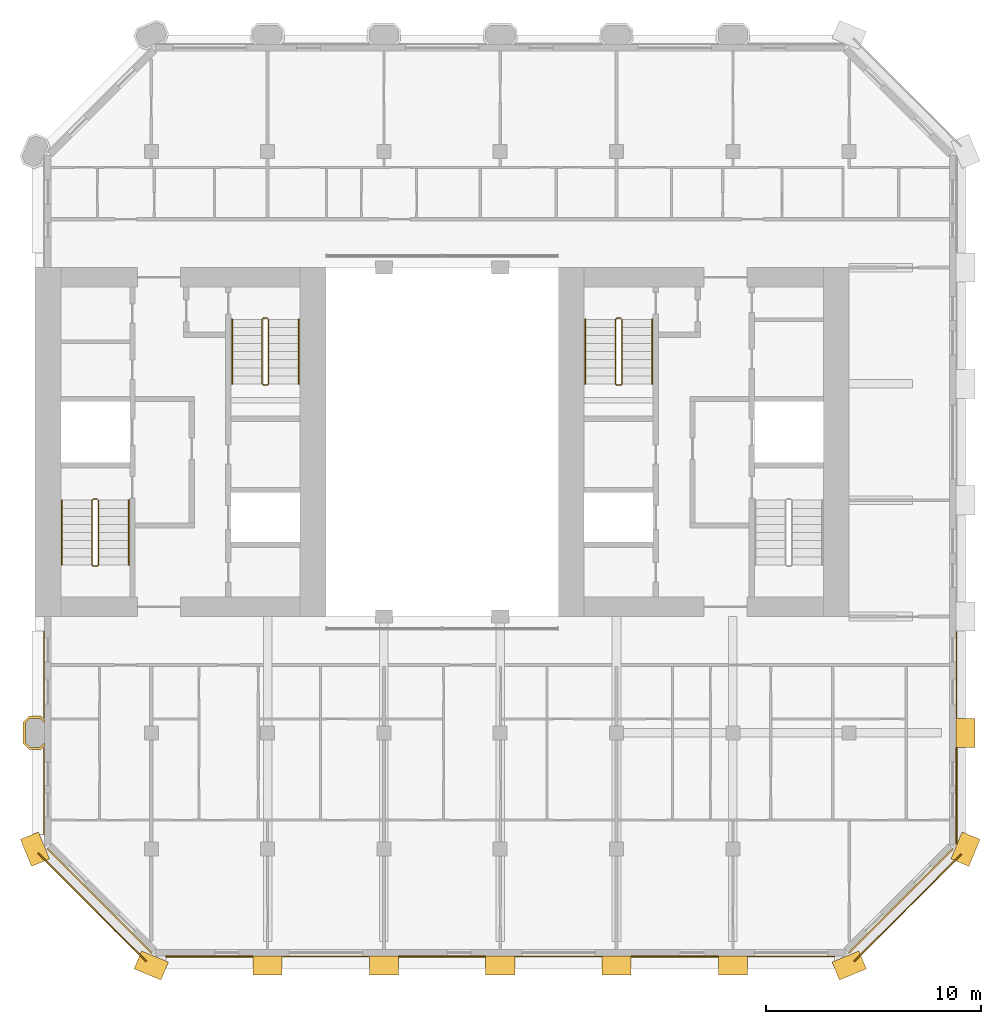
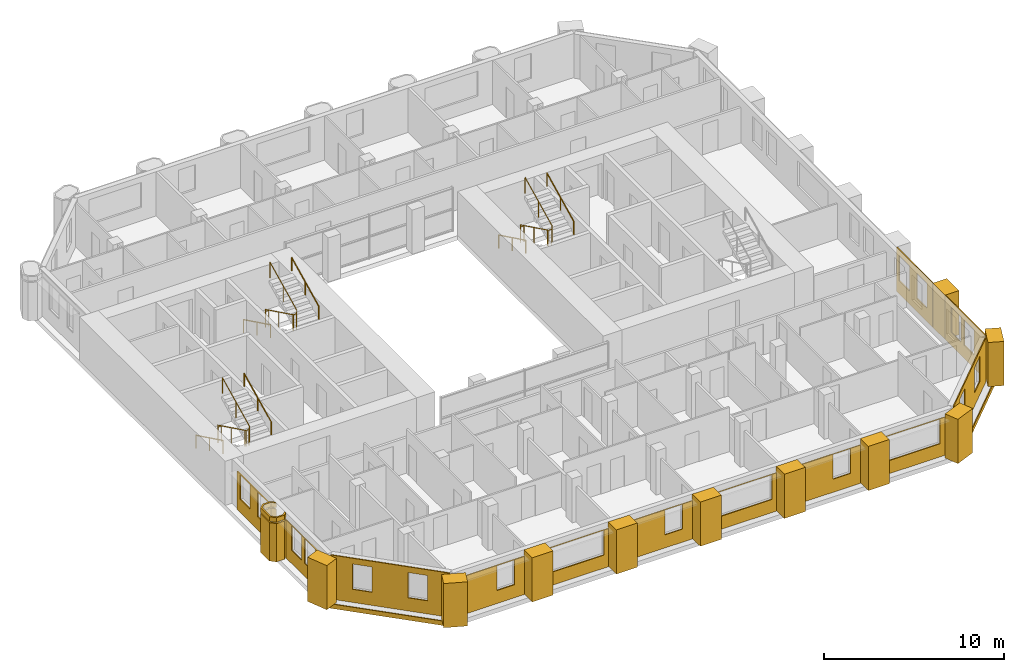
# One storey, part 15 of 16: 26 coverings, 9 railings.
"""IFC4 building model written with IfcOpenShell, lengths in metres."""

from ifc_helpers import new_model, si_unit, direction, frame, frame_2d, origin, origin_2d, place, context, subcontext, project, spatial, polyline, rectangle, circle, outline, extrude, material, layer, layer_set, type_object, element, save


model = new_model("IFC4")

# Units and contexts
model_context = context("Model", 3, precision=1e-05, world=origin(), true_north=direction((0.0, 1.0)))
body_context = subcontext(model_context, "Body", "Model", "MODEL_VIEW")
ifc_project = project(units=[si_unit("LENGTHUNIT", "METRE"), si_unit("AREAUNIT", "SQUARE_METRE"), si_unit("VOLUMEUNIT", "CUBIC_METRE"), si_unit("PLANEANGLEUNIT", "RADIAN"), si_unit("MASSUNIT", "GRAM", prefix="KILO")], contexts=[model_context])

# Site, building, storey
site_placement = place(None, origin())
site = spatial("IfcSite", under=ifc_project, at=site_placement, CompositionType="ELEMENT")
building_placement = place(site_placement, origin())
building = spatial("IfcBuilding", under=site, at=building_placement, Name="Tabaq Tower and Sports Hall", CompositionType="ELEMENT")
storey_placement = place(building_placement, frame((0.0, 0.0, 268.60009765625)))
storey = spatial("IfcBuildingStorey", under=building, at=storey_placement, Name="L65", CompositionType="ELEMENT", Elevation=268.60009765625)

# Coverings
ifc_material_1 = material(Name="Precast concrete C60/75", Category="concrete")
ifc_layer_1 = layer(ifc_material_1, 0.10009765625)
ifc_layer_set_1 = layer_set([ifc_layer_1], Name="Column cladding 100")
covering_type_1 = type_object("IfcCoveringType", Name="Column cladding 100", PredefinedType="CLADDING", material=ifc_layer_set_1)
covering_1_placement = place(storey_placement, origin())
element("IfcCovering", 1, at=covering_1_placement, inside=storey, type_object=covering_type_1, Name="Column cladding L65 PC-2C-R1", PredefinedType="CLADDING", context=body_context, shape_type="SweptSolid", body=[
    extrude(outline(polyline([(5.1337890625, 10.025390625), (4.850341796875, 10.30859375), (4.850341796875, 11.291259765625), (5.1337890625, 11.57470703125), (5.666259765625, 11.57470703125), (5.849609375, 11.391357421875), (5.849609375, 11.250732421875), (5.625244140625, 11.475341796875), (5.1748046875, 11.475341796875), (4.94970703125, 11.250244140625), (4.94970703125, 10.349853515625), (5.1748046875, 10.124755859375), (5.625244140625, 10.124755859375), (5.849609375, 10.349365234375), (5.849609375, 10.208740234375), (5.666259765625, 10.025390625), (5.1337890625, 10.025390625)])), origin(), (0.0, 0.0, 1.0), 2.599853515625),
])
covering_2_placement = place(storey_placement, frame((0.0, 0.0, 2.699951171875)))
element("IfcCovering", 2, at=covering_2_placement, inside=storey, type_object=covering_type_1, Name="Column cladding L65 PC-2C-R1 2", PredefinedType="CLADDING", context=body_context, shape_type="SweptSolid", body=[
    extrude(outline(polyline([(5.1337890625, 10.025390625), (4.850341796875, 10.30859375), (4.850341796875, 11.291259765625), (5.1337890625, 11.57470703125), (5.666259765625, 11.57470703125), (5.849609375, 11.391357421875), (5.849609375, 11.250732421875), (5.625244140625, 11.475341796875), (5.1748046875, 11.475341796875), (4.94970703125, 11.250244140625), (4.94970703125, 10.349853515625), (5.1748046875, 10.124755859375), (5.625244140625, 10.124755859375), (5.849609375, 10.349365234375), (5.849609375, 10.208740234375), (5.666259765625, 10.025390625), (5.1337890625, 10.025390625)])), origin(), (0.0, 0.0, 1.0), 0.300048828125),
])
ifc_material_2 = material(Name="Precast concrete C60/75", Category="concrete")
ifc_layer_2 = layer(ifc_material_2, 0.06005859375)
ifc_layer_set_2 = layer_set([ifc_layer_2], Name="Edge beam cladding 60")
covering_type_2 = type_object("IfcCoveringType", Name="Edge beam cladding 60", PredefinedType="CLADDING", material=ifc_layer_set_2)
covering_3_placement = place(storey_placement, frame((43.432373046875, 0.18994140625, -0.300048828125), z_axis=(0.0, 0.0, 1.0), x_axis=(0.707106781187, 0.707106781187, 0.0)))
element("IfcCovering", 3, at=covering_3_placement, inside=storey, type_object=covering_type_2, Name="Edge beam cladding L65 2", PredefinedType="CLADDING", context=body_context, shape_type="SweptSolid", body=[
    extrude(rectangle(XDim=7.03955078125, YDim=0.06005859375, at=frame_2d((3.519775390625, 0.0))), origin(), (0.0, 0.0, 1.0), 0.300048828125),
])
covering_4_placement = place(storey_placement, frame((5.5556640625, 5.201904296875, -0.300048828125), z_axis=(0.0, 0.0, 1.0), x_axis=(0.707106781187, -0.707106781187, 0.0)))
element("IfcCovering", 4, at=covering_4_placement, inside=storey, type_object=covering_type_2, Name="Edge beam cladding L65 5", PredefinedType="CLADDING", context=body_context, shape_type="SweptSolid", body=[
    extrude(rectangle(XDim=7.087890625, YDim=0.06005859375, at=frame_2d((3.5439453125, 0.0))), origin(), (0.0, 0.0, 1.0), 0.300048828125),
])
ifc_material_3 = material(Name="White precast concrete C60/75", Category="concrete")
covering_type_3 = type_object("IfcCoveringType", Name="Pier cladding hung 1350x900", PredefinedType="CLADDING", material=ifc_material_3)
for number, where, z_axis, x_axis, name in (
    (5, (5.1416015625, 6.023681640625, 0.0), (0.0, 0.0, 1.0), (0.382649923473, -0.923893411637, 0.0), "Hung pier cladding 1/1"),
    (6, (10.17626953125, 0.25830078125, 0.0), (0.0, 0.0, 1.0), (0.923893411637, -0.382649923473, 0.0), "Hung pier cladding 2/0"),
    (7, (15.52490234375, 0.0, 0.0), (0.0, 0.0, 1.0), (1.0, 0.0, 0.0), "Hung pier cladding 3/0"),
):
    element("IfcCovering", number, at=place(storey_placement, frame(where, z_axis=z_axis, x_axis=x_axis)), inside=storey, type_object=covering_type_3, Name=name, PredefinedType="CLADDING", context=body_context, shape_type="SweptSolid", body=[
        extrude(rectangle(XDim=1.35009765625, YDim=0.89990234375, at=frame_2d((0.675048828125, 0.0))), origin(), (0.0, 0.0, 1.0), 3.0),
    ])
covering_5_placement = place(storey_placement, frame((20.925048828125, 0.0, 0.0), z_axis=(0.0, 0.0, 1.0), x_axis=(1.0, 0.0, 0.0)))
element("IfcCovering", 8, at=covering_5_placement, inside=storey, type_object=covering_type_3, Name="Hung pier cladding 4/0", PredefinedType="CLADDING", context=body_context, shape_type="SweptSolid", body=[
    extrude(rectangle(XDim=1.349853515625, YDim=0.89990234375, at=frame_2d((0.6748046875, 0.0))), origin(), (0.0, 0.0, 1.0), 3.0),
])
covering_6_placement = place(storey_placement, frame((26.324951171875, 0.0, 0.0), z_axis=(0.0, 0.0, 1.0), x_axis=(1.0, 0.0, 0.0)))
element("IfcCovering", 9, at=covering_6_placement, inside=storey, type_object=covering_type_3, Name="Hung pier cladding 5/0", PredefinedType="CLADDING", context=body_context, shape_type="SweptSolid", body=[
    extrude(rectangle(XDim=1.35009765625, YDim=0.89990234375, at=frame_2d((0.675048828125, 0.0))), origin(), (0.0, 0.0, 1.0), 3.0),
])
covering_7_placement = place(storey_placement, frame((31.72509765625, 0.0, 0.0), z_axis=(0.0, 0.0, 1.0), x_axis=(1.0, 0.0, 0.0)))
element("IfcCovering", 10, at=covering_7_placement, inside=storey, type_object=covering_type_3, Name="Hung pier cladding 6/0", PredefinedType="CLADDING", context=body_context, shape_type="SweptSolid", body=[
    extrude(rectangle(XDim=1.349853515625, YDim=0.89990234375, at=frame_2d((0.6748046875, 0.0))), origin(), (0.0, 0.0, 1.0), 3.0),
])
for number, where, z_axis, x_axis, name in (
    (11, (37.125, 0.0, 0.0), (0.0, 0.0, 1.0), (1.0, 0.0, 0.0), "Hung pier cladding 7/0"),
    (12, (42.576416015625, -0.25830078125, 0.0), (0.0, 0.0, 1.0), (0.923893411637, 0.382649923473, 0.0), "Hung pier cladding 8/0"),
    (13, (48.341796875, 4.7763671875, 0.0), (0.0, 0.0, 1.0), (0.382649923473, 0.923893411637, 0.0), "Hung pier cladding 9/1"),
    (14, (48.60009765625, 10.125, 0.0), (0.0, 0.0, 1.0), (0.0, 1.0, 0.0), "Hung pier cladding 9/2"),
):
    element("IfcCovering", number, at=place(storey_placement, frame(where, z_axis=z_axis, x_axis=x_axis)), inside=storey, type_object=covering_type_3, Name=name, PredefinedType="CLADDING", context=body_context, shape_type="SweptSolid", body=[
        extrude(rectangle(XDim=1.35009765625, YDim=0.89990234375, at=frame_2d((0.675048828125, 0.0))), origin(), (0.0, 0.0, 1.0), 3.0),
    ])

# Railings
ifc_material_4 = material(Name="Stainless steel", Category="steel")
railing_type_1 = type_object("IfcRailingType", Name="Stair guard", PredefinedType="GUARDRAIL", material=ifc_material_4)
railing_1_placement = place(storey_placement, frame((8.300048828125, 21.64990234375, 0.0)))
element("IfcRailing", 15, at=railing_1_placement, inside=storey, type_object=railing_type_1, Name="L65 ST1 stair guard 1", PredefinedType="GUARDRAIL", context=body_context, shape_type="SweptSolid", body=[
    extrude(circle(Radius=0.02392578125, at=origin_2d()), frame((0.0, 0.0, 1.076171875), z_axis=(-1.0, 0.0, 0.0), x_axis=(0.0, -1.0, 0.0)), (0.0, 0.0, 1.0), 0.199951171875),
    extrude(circle(Radius=0.02392578125, at=origin_2d()), frame((-0.199951171875, 0.0, 1.076171875), z_axis=(-0.254733673405, -0.25349107012, 0.933195066962), x_axis=(0.705375805398, -0.708833529934, 0.0)), (0.0, 0.0, 1.0), 0.196533203125),
    extrude(circle(Radius=0.02392578125, at=origin_2d()), frame((-0.25, -0.0498046875, 1.25927734375), z_axis=(0.0, -0.898397823093, 0.439182594671), x_axis=(1.0, 0.0, 0.0)), (0.0, 0.0, 1.0), 3.33935546875),
    extrude(circle(Radius=0.02392578125, at=origin_2d()), frame((-0.25, -3.0498046875, 2.72607421875), z_axis=(0.707106781187, -0.707106781187, 0.0), x_axis=(0.707106781187, 0.707106781187, 0.0)), (0.0, 0.0, 1.0), 0.07080078125),
    extrude(circle(Radius=0.02392578125, at=origin_2d()), frame((-0.199951171875, -3.099853515625, 2.72607421875), z_axis=(1.0, 0.0, 0.0), x_axis=(0.0, 1.0, 0.0)), (0.0, 0.0, 1.0), 0.199951171875),
    extrude(circle(Radius=0.02392578125, at=origin_2d()), frame((0.0, -3.099853515625, 2.72607421875), z_axis=(0.254653276557, 0.254653276557, 0.932900539971), x_axis=(-0.707106781187, 0.707106781187, 0.0)), (0.0, 0.0, 1.0), 0.196533203125),
    extrude(circle(Radius=0.02392578125, at=origin_2d()), frame((0.050048828125, -3.0498046875, 2.9091796875), z_axis=(0.0, 0.898397823093, 0.439182594671), x_axis=(-1.0, 0.0, 0.0)), (0.0, 0.0, 1.0), 3.33935546875),
    extrude(circle(Radius=0.02099609375, at=origin_2d()), origin(), (0.0, 0.0, 1.0), 1.052001953125),
    extrude(circle(Radius=0.02099609375, at=origin_2d()), frame((-0.199951171875, 0.0, 0.0)), (0.0, 0.0, 1.0), 1.052001953125),
    extrude(circle(Radius=0.02099609375, at=origin_2d()), frame((-0.25, -0.0498046875, 0.183349609375)), (0.0, 0.0, 1.0), 1.052001953125),
    extrude(circle(Radius=0.02099609375, at=origin_2d()), frame((-0.25, -1.5498046875, 0.91650390625)), (0.0, 0.0, 1.0), 1.052001953125),
    extrude(circle(Radius=0.02099609375, at=origin_2d()), frame((-0.25, -3.0498046875, 1.64990234375)), (0.0, 0.0, 1.0), 1.052001953125),
    extrude(circle(Radius=0.02099609375, at=origin_2d()), frame((-0.199951171875, -3.099853515625, 1.64990234375)), (0.0, 0.0, 1.0), 1.052001953125),
    extrude(circle(Radius=0.02099609375, at=origin_2d()), frame((0.0, -3.099853515625, 1.64990234375)), (0.0, 0.0, 1.0), 1.052001953125),
    extrude(circle(Radius=0.02099609375, at=origin_2d()), frame((0.050048828125, -3.0498046875, 1.833251953125)), (0.0, 0.0, 1.0), 1.052001953125),
    extrude(circle(Radius=0.02099609375, at=origin_2d()), frame((0.050048828125, -1.5498046875, 2.56640625)), (0.0, 0.0, 1.0), 1.052001953125),
    extrude(circle(Radius=0.02099609375, at=origin_2d()), frame((0.050048828125, -0.0498046875, 3.2998046875)), (0.0, 0.0, 1.0), 1.052001953125),
])
railing_2_placement = place(storey_placement, frame((16.199951171875, 30.050048828125, 0.0)))
element("IfcRailing", 16, at=railing_2_placement, inside=storey, type_object=railing_type_1, Name="L65 ST2 stair guard 1", PredefinedType="GUARDRAIL", context=body_context, shape_type="SweptSolid", body=[
    extrude(circle(Radius=0.02392578125, at=origin_2d()), frame((0.0, 0.0, 1.076171875), z_axis=(-1.0, 0.0, 0.0), x_axis=(0.0, -1.0, 0.0)), (0.0, 0.0, 1.0), 0.199951171875),
    extrude(circle(Radius=0.02392578125, at=origin_2d()), frame((-0.199951171875, 0.0, 1.076171875), z_axis=(-0.254653276557, -0.254653276557, 0.932900539971), x_axis=(0.707106781187, -0.707106781187, 0.0)), (0.0, 0.0, 1.0), 0.196533203125),
    extrude(circle(Radius=0.02392578125, at=origin_2d()), frame((-0.25, -0.050048828125, 1.25927734375), z_axis=(0.0, -0.898397823093, 0.439182594671), x_axis=(1.0, 0.0, 0.0)), (0.0, 0.0, 1.0), 3.33935546875),
    extrude(circle(Radius=0.02392578125, at=origin_2d()), frame((-0.25, -3.050048828125, 2.72607421875), z_axis=(0.707106781187, -0.707106781187, 0.0), x_axis=(0.707106781187, 0.707106781187, 0.0)), (0.0, 0.0, 1.0), 0.07080078125),
    extrude(circle(Radius=0.02392578125, at=origin_2d()), frame((-0.199951171875, -3.10009765625, 2.72607421875), z_axis=(1.0, 0.0, 0.0), x_axis=(0.0, 1.0, 0.0)), (0.0, 0.0, 1.0), 0.199951171875),
    extrude(circle(Radius=0.02392578125, at=origin_2d()), frame((0.0, -3.10009765625, 2.72607421875), z_axis=(0.254653276557, 0.254653276557, 0.932900539971), x_axis=(-0.707106781187, 0.707106781187, 0.0)), (0.0, 0.0, 1.0), 0.196533203125),
    extrude(circle(Radius=0.02392578125, at=origin_2d()), frame((0.050048828125, -3.050048828125, 2.9091796875), z_axis=(0.0, 0.898397823093, 0.439182594671), x_axis=(-1.0, 0.0, 0.0)), (0.0, 0.0, 1.0), 3.33935546875),
    extrude(circle(Radius=0.02099609375, at=origin_2d()), origin(), (0.0, 0.0, 1.0), 1.052001953125),
    extrude(circle(Radius=0.02099609375, at=origin_2d()), frame((-0.199951171875, 0.0, 0.0)), (0.0, 0.0, 1.0), 1.052001953125),
    extrude(circle(Radius=0.02099609375, at=origin_2d()), frame((-0.25, -0.050048828125, 0.183349609375)), (0.0, 0.0, 1.0), 1.052001953125),
    extrude(circle(Radius=0.02099609375, at=origin_2d()), frame((-0.25, -1.550048828125, 0.91650390625)), (0.0, 0.0, 1.0), 1.052001953125),
    extrude(circle(Radius=0.02099609375, at=origin_2d()), frame((-0.25, -3.050048828125, 1.64990234375)), (0.0, 0.0, 1.0), 1.052001953125),
    extrude(circle(Radius=0.02099609375, at=origin_2d()), frame((-0.199951171875, -3.10009765625, 1.64990234375)), (0.0, 0.0, 1.0), 1.052001953125),
    extrude(circle(Radius=0.02099609375, at=origin_2d()), frame((0.0, -3.10009765625, 1.64990234375)), (0.0, 0.0, 1.0), 1.052001953125),
    extrude(circle(Radius=0.02099609375, at=origin_2d()), frame((0.050048828125, -3.050048828125, 1.833251953125)), (0.0, 0.0, 1.0), 1.052001953125),
    extrude(circle(Radius=0.02099609375, at=origin_2d()), frame((0.050048828125, -1.550048828125, 2.56640625)), (0.0, 0.0, 1.0), 1.052001953125),
    extrude(circle(Radius=0.02099609375, at=origin_2d()), frame((0.050048828125, -0.050048828125, 3.2998046875)), (0.0, 0.0, 1.0), 1.052001953125),
])
railing_3_placement = place(storey_placement, frame((32.60009765625, 30.050048828125, 0.0)))
element("IfcRailing", 17, at=railing_3_placement, inside=storey, type_object=railing_type_1, Name="L65 ST4 stair guard 1", PredefinedType="GUARDRAIL", context=body_context, shape_type="SweptSolid", body=[
    extrude(circle(Radius=0.02392578125, at=origin_2d()), frame((0.0, 0.0, 1.076171875), z_axis=(-1.0, 0.0, 0.0), x_axis=(0.0, -1.0, 0.0)), (0.0, 0.0, 1.0), 0.2001953125),
    extrude(circle(Radius=0.02392578125, at=origin_2d()), frame((-0.2001953125, 0.0, 1.076171875), z_axis=(-0.25349107012, -0.254733673405, 0.933195066962), x_axis=(0.708833529934, -0.705375805398, 0.0)), (0.0, 0.0, 1.0), 0.196533203125),
    extrude(circle(Radius=0.02392578125, at=origin_2d()), frame((-0.25, -0.050048828125, 1.25927734375), z_axis=(0.0, -0.898397823093, 0.439182594671), x_axis=(1.0, 0.0, 0.0)), (0.0, 0.0, 1.0), 3.33935546875),
    extrude(circle(Radius=0.02392578125, at=origin_2d()), frame((-0.25, -3.050048828125, 2.72607421875), z_axis=(0.705375805398, -0.708833529934, 0.0), x_axis=(0.708833529934, 0.705375805398, 0.0)), (0.0, 0.0, 1.0), 0.070556640625),
    extrude(circle(Radius=0.02392578125, at=origin_2d()), frame((-0.2001953125, -3.10009765625, 2.72607421875), z_axis=(1.0, 0.0, 0.0), x_axis=(0.0, 1.0, 0.0)), (0.0, 0.0, 1.0), 0.2001953125),
    extrude(circle(Radius=0.02392578125, at=origin_2d()), frame((0.0, -3.10009765625, 2.72607421875), z_axis=(0.25349107012, 0.254733673405, 0.933195066962), x_axis=(-0.708833529934, 0.705375805398, 0.0)), (0.0, 0.0, 1.0), 0.196533203125),
    extrude(circle(Radius=0.02392578125, at=origin_2d()), frame((0.0498046875, -3.050048828125, 2.9091796875), z_axis=(0.0, 0.898397823093, 0.439182594671), x_axis=(-1.0, 0.0, 0.0)), (0.0, 0.0, 1.0), 3.33935546875),
    extrude(circle(Radius=0.02099609375, at=origin_2d()), origin(), (0.0, 0.0, 1.0), 1.052001953125),
    extrude(circle(Radius=0.02099609375, at=origin_2d()), frame((-0.2001953125, 0.0, 0.0)), (0.0, 0.0, 1.0), 1.052001953125),
    extrude(circle(Radius=0.02099609375, at=origin_2d()), frame((-0.25, -0.050048828125, 0.183349609375)), (0.0, 0.0, 1.0), 1.052001953125),
    extrude(circle(Radius=0.02099609375, at=origin_2d()), frame((-0.25, -1.550048828125, 0.91650390625)), (0.0, 0.0, 1.0), 1.052001953125),
    extrude(circle(Radius=0.02099609375, at=origin_2d()), frame((-0.25, -3.050048828125, 1.64990234375)), (0.0, 0.0, 1.0), 1.052001953125),
    extrude(circle(Radius=0.02099609375, at=origin_2d()), frame((-0.2001953125, -3.10009765625, 1.64990234375)), (0.0, 0.0, 1.0), 1.052001953125),
    extrude(circle(Radius=0.02099609375, at=origin_2d()), frame((0.0, -3.10009765625, 1.64990234375)), (0.0, 0.0, 1.0), 1.052001953125),
    extrude(circle(Radius=0.02099609375, at=origin_2d()), frame((0.0498046875, -3.050048828125, 1.833251953125)), (0.0, 0.0, 1.0), 1.052001953125),
    extrude(circle(Radius=0.02099609375, at=origin_2d()), frame((0.0498046875, -1.550048828125, 2.56640625)), (0.0, 0.0, 1.0), 1.052001953125),
    extrude(circle(Radius=0.02099609375, at=origin_2d()), frame((0.0498046875, -0.050048828125, 3.2998046875)), (0.0, 0.0, 1.0), 1.052001953125),
])
ifc_material_5 = material(Name="Stainless steel", Category="steel")
railing_type_2 = type_object("IfcRailingType", Name="Stair handrail", PredefinedType="HANDRAIL", material=ifc_material_5)
railing_4_placement = place(storey_placement, frame((6.64990234375, 21.60009765625, 0.183349609375)))
element("IfcRailing", 18, at=railing_4_placement, inside=storey, type_object=railing_type_2, Name="L65 ST1 stair handrail 1", PredefinedType="HANDRAIL", context=body_context, shape_type="SweptSolid", body=[
    extrude(circle(Radius=0.02392578125, at=origin_2d()), frame((0.0, 0.0, 0.8759765625), z_axis=(0.0, -0.898397823093, 0.439182594671), x_axis=(1.0, 0.0, 0.0)), (0.0, 0.0, 1.0), 3.33935546875),
    extrude(circle(Radius=0.02099609375, at=origin_2d()), origin(), (0.0, 0.0, 1.0), 0.851806640625),
    extrude(circle(Radius=0.02099609375, at=origin_2d()), frame((0.0, -1.5, 0.7333984375)), (0.0, 0.0, 1.0), 0.851806640625),
    extrude(circle(Radius=0.02099609375, at=origin_2d()), frame((0.0, -3.0, 1.466552734375)), (0.0, 0.0, 1.0), 0.851806640625),
])
railing_5_placement = place(storey_placement, frame((9.75, 18.60009765625, 1.833251953125)))
element("IfcRailing", 19, at=railing_5_placement, inside=storey, type_object=railing_type_2, Name="L65 ST1 stair handrail 2", PredefinedType="HANDRAIL", context=body_context, shape_type="SweptSolid", body=[
    extrude(circle(Radius=0.02392578125, at=origin_2d()), frame((0.0, 0.0, 0.8759765625), z_axis=(0.0, 0.898397823093, 0.439182594671), x_axis=(-1.0, 0.0, 0.0)), (0.0, 0.0, 1.0), 3.33935546875),
    extrude(circle(Radius=0.02099609375, at=origin_2d()), origin(), (0.0, 0.0, 1.0), 0.851806640625),
    extrude(circle(Radius=0.02099609375, at=origin_2d()), frame((0.0, 1.5, 0.7333984375)), (0.0, 0.0, 1.0), 0.851806640625),
    extrude(circle(Radius=0.02099609375, at=origin_2d()), frame((0.0, 3.0, 1.466552734375)), (0.0, 0.0, 1.0), 0.851806640625),
])
railing_6_placement = place(storey_placement, frame((14.550048828125, 30.0, 0.183349609375)))
element("IfcRailing", 20, at=railing_6_placement, inside=storey, type_object=railing_type_2, Name="L65 ST2 stair handrail 1", PredefinedType="HANDRAIL", context=body_context, shape_type="SweptSolid", body=[
    extrude(circle(Radius=0.02392578125, at=origin_2d()), frame((0.0, 0.0, 0.8759765625), z_axis=(0.0, -0.898397823093, 0.439182594671), x_axis=(1.0, 0.0, 0.0)), (0.0, 0.0, 1.0), 3.33935546875),
    extrude(circle(Radius=0.02099609375, at=origin_2d()), origin(), (0.0, 0.0, 1.0), 0.851806640625),
    extrude(circle(Radius=0.02099609375, at=origin_2d()), frame((0.0, -1.5, 0.7333984375)), (0.0, 0.0, 1.0), 0.851806640625),
    extrude(circle(Radius=0.02099609375, at=origin_2d()), frame((0.0, -3.0, 1.466552734375)), (0.0, 0.0, 1.0), 0.851806640625),
])
railing_7_placement = place(storey_placement, frame((17.64990234375, 27.0, 1.833251953125)))
element("IfcRailing", 21, at=railing_7_placement, inside=storey, type_object=railing_type_2, Name="L65 ST2 stair handrail 2", PredefinedType="HANDRAIL", context=body_context, shape_type="SweptSolid", body=[
    extrude(circle(Radius=0.02392578125, at=origin_2d()), frame((0.0, 0.0, 0.8759765625), z_axis=(0.0, 0.898397823093, 0.439182594671), x_axis=(-1.0, 0.0, 0.0)), (0.0, 0.0, 1.0), 3.33935546875),
    extrude(circle(Radius=0.02099609375, at=origin_2d()), origin(), (0.0, 0.0, 1.0), 0.851806640625),
    extrude(circle(Radius=0.02099609375, at=origin_2d()), frame((0.0, 1.5, 0.7333984375)), (0.0, 0.0, 1.0), 0.851806640625),
    extrude(circle(Radius=0.02099609375, at=origin_2d()), frame((0.0, 3.0, 1.466552734375)), (0.0, 0.0, 1.0), 0.851806640625),
])
railing_8_placement = place(storey_placement, frame((30.949951171875, 30.0, 0.183349609375)))
element("IfcRailing", 22, at=railing_8_placement, inside=storey, type_object=railing_type_2, Name="L65 ST4 stair handrail 1", PredefinedType="HANDRAIL", context=body_context, shape_type="SweptSolid", body=[
    extrude(circle(Radius=0.02392578125, at=origin_2d()), frame((0.0, 0.0, 0.8759765625), z_axis=(0.0, -0.898397823093, 0.439182594671), x_axis=(1.0, 0.0, 0.0)), (0.0, 0.0, 1.0), 3.33935546875),
    extrude(circle(Radius=0.02099609375, at=origin_2d()), origin(), (0.0, 0.0, 1.0), 0.851806640625),
    extrude(circle(Radius=0.02099609375, at=origin_2d()), frame((0.0, -1.5, 0.7333984375)), (0.0, 0.0, 1.0), 0.851806640625),
    extrude(circle(Radius=0.02099609375, at=origin_2d()), frame((0.0, -3.0, 1.466552734375)), (0.0, 0.0, 1.0), 0.851806640625),
])
railing_9_placement = place(storey_placement, frame((34.050048828125, 27.0, 1.833251953125)))
element("IfcRailing", 23, at=railing_9_placement, inside=storey, type_object=railing_type_2, Name="L65 ST4 stair handrail 2", PredefinedType="HANDRAIL", context=body_context, shape_type="SweptSolid", body=[
    extrude(circle(Radius=0.02392578125, at=origin_2d()), frame((0.0, 0.0, 0.8759765625), z_axis=(0.0, 0.898397823093, 0.439182594671), x_axis=(-1.0, 0.0, 0.0)), (0.0, 0.0, 1.0), 3.33935546875),
    extrude(circle(Radius=0.02099609375, at=origin_2d()), origin(), (0.0, 0.0, 1.0), 0.851806640625),
    extrude(circle(Radius=0.02099609375, at=origin_2d()), frame((0.0, 1.5, 0.7333984375)), (0.0, 0.0, 1.0), 0.851806640625),
    extrude(circle(Radius=0.02099609375, at=origin_2d()), frame((0.0, 3.0, 1.466552734375)), (0.0, 0.0, 1.0), 0.851806640625),
])

# Coverings
ifc_material_6 = material(Name="Precast concrete C60/75", Category="concrete")
ifc_layer_3 = layer(ifc_material_6, 0.06005859375)
ifc_layer_set_3 = layer_set([ifc_layer_3], Name="White precast cladding panel 60 C60/75")
covering_type_4 = type_object("IfcCoveringType", Name="White precast cladding panel 60 C60/75", PredefinedType="CLADDING", material=ifc_layer_set_3)
covering_8_placement = place(storey_placement, frame((11.465087890625, 0.419921875, 0.0), z_axis=(0.0, 0.0, 1.0), x_axis=(1.0, 0.0, 0.0)))
element("IfcCovering", 24, at=covering_8_placement, inside=storey, type_object=covering_type_4, Name="White precast cladding panel L65 wall00", PredefinedType="CLADDING", context=body_context, shape_type="SweptSolid", body=[
    extrude(outline(polyline([(0.0, 0.0), (4.0498046875, 0.0), (4.0498046875, 2.58984375), (0.0, 2.58984375), (0.0, 0.0)]), holes=[polyline([(3.39501953125, 0.889892578125), (2.27490234375, 0.889892578125), (2.27490234375, 2.559814453125), (3.39501953125, 2.559814453125), (3.39501953125, 0.889892578125)])]), frame((0.0, 0.030029296875, 0.0), z_axis=(0.0, -1.0, 0.0), x_axis=(1.0, 0.0, 0.0)), (0.0, 0.0, 1.0), 0.06005859375),
])
covering_9_placement = place(storey_placement, frame((16.885009765625, 0.419921875, 0.0), z_axis=(0.0, 0.0, 1.0), x_axis=(1.0, 0.0, 0.0)))
element("IfcCovering", 25, at=covering_9_placement, inside=storey, type_object=covering_type_4, Name="White precast cladding panel L65 wall00 2", PredefinedType="CLADDING", context=body_context, shape_type="SweptSolid", body=[
    extrude(outline(polyline([(0.0, 0.0), (4.030029296875, 0.0), (4.030029296875, 2.58984375), (0.0, 2.58984375), (0.0, 0.0)]), holes=[polyline([(3.72509765625, 0.889892578125), (0.304931640625, 0.889892578125), (0.304931640625, 2.559814453125), (3.72509765625, 2.559814453125), (3.72509765625, 0.889892578125)])]), frame((0.0, 0.030029296875, 0.0), z_axis=(0.0, -1.0, 0.0), x_axis=(1.0, 0.0, 0.0)), (0.0, 0.0, 1.0), 0.06005859375),
])
covering_10_placement = place(storey_placement, frame((22.284912109375, 0.419921875, 0.0), z_axis=(0.0, 0.0, 1.0), x_axis=(1.0, 0.0, 0.0)))
element("IfcCovering", 26, at=covering_10_placement, inside=storey, type_object=covering_type_4, Name="White precast cladding panel L65 wall00 3", PredefinedType="CLADDING", context=body_context, shape_type="SweptSolid", body=[
    extrude(outline(polyline([(0.0, 0.0), (4.030029296875, 0.0), (4.030029296875, 2.58984375), (0.0, 2.58984375), (0.0, 0.0)]), holes=[polyline([(3.375, 0.889892578125), (2.2548828125, 0.889892578125), (2.2548828125, 2.559814453125), (3.375, 2.559814453125), (3.375, 0.889892578125)])]), frame((0.0, 0.030029296875, 0.0), z_axis=(0.0, -1.0, 0.0), x_axis=(1.0, 0.0, 0.0)), (0.0, 0.0, 1.0), 0.06005859375),
])
covering_11_placement = place(storey_placement, frame((27.68505859375, 0.419921875, 0.0), z_axis=(0.0, 0.0, 1.0), x_axis=(1.0, 0.0, 0.0)))
element("IfcCovering", 27, at=covering_11_placement, inside=storey, type_object=covering_type_4, Name="White precast cladding panel L65 wall00 4", PredefinedType="CLADDING", context=body_context, shape_type="SweptSolid", body=[
    extrude(outline(polyline([(0.0, 0.0), (4.030029296875, 0.0), (4.030029296875, 2.58984375), (0.0, 2.58984375), (0.0, 0.0)]), holes=[polyline([(3.72509765625, 0.889892578125), (0.304931640625, 0.889892578125), (0.304931640625, 2.559814453125), (3.72509765625, 2.559814453125), (3.72509765625, 0.889892578125)])]), frame((0.0, 0.030029296875, 0.0), z_axis=(0.0, -1.0, 0.0), x_axis=(1.0, 0.0, 0.0)), (0.0, 0.0, 1.0), 0.06005859375),
])
covering_12_placement = place(storey_placement, frame((33.0849609375, 0.419921875, 0.0), z_axis=(0.0, 0.0, 1.0), x_axis=(1.0, 0.0, 0.0)))
element("IfcCovering", 28, at=covering_12_placement, inside=storey, type_object=covering_type_4, Name="White precast cladding panel L65 wall00 5", PredefinedType="CLADDING", context=body_context, shape_type="SweptSolid", body=[
    extrude(outline(polyline([(0.0, 0.0), (4.030029296875, 0.0), (4.030029296875, 2.58984375), (0.0, 2.58984375), (0.0, 0.0)]), holes=[polyline([(3.375, 0.889892578125), (2.2548828125, 0.889892578125), (2.2548828125, 2.559814453125), (3.375, 2.559814453125), (3.375, 0.889892578125)])]), frame((0.0, 0.030029296875, 0.0), z_axis=(0.0, -1.0, 0.0), x_axis=(1.0, 0.0, 0.0)), (0.0, 0.0, 1.0), 0.06005859375),
])
covering_13_placement = place(storey_placement, frame((38.485107421875, 0.419921875, 0.0), z_axis=(0.0, 0.0, 1.0), x_axis=(1.0, 0.0, 0.0)))
element("IfcCovering", 29, at=covering_13_placement, inside=storey, type_object=covering_type_4, Name="White precast cladding panel L65 wall00 6", PredefinedType="CLADDING", context=body_context, shape_type="SweptSolid", body=[
    extrude(outline(polyline([(0.0, 0.0), (4.0498046875, 0.0), (4.0498046875, 2.58984375), (0.0, 2.58984375), (0.0, 0.0)]), holes=[polyline([(3.72509765625, 0.889892578125), (0.304931640625, 0.889892578125), (0.304931640625, 2.559814453125), (3.72509765625, 2.559814453125), (3.72509765625, 0.889892578125)])]), frame((0.0, 0.030029296875, 0.0), z_axis=(0.0, -1.0, 0.0), x_axis=(1.0, 0.0, 0.0)), (0.0, 0.0, 1.0), 0.06005859375),
])
covering_14_placement = place(storey_placement, frame((43.177734375, 0.57177734375, 0.0), z_axis=(0.0, 0.0, 1.0), x_axis=(0.707106781187, 0.707106781187, 0.0)))
element("IfcCovering", 30, at=covering_14_placement, inside=storey, type_object=covering_type_4, Name="White precast cladding panel L65 wall01", PredefinedType="CLADDING", context=body_context, shape_type="SweptSolid", body=[
    extrude(outline(polyline([(0.0, 0.0), (6.85986328125, 0.0), (6.85986328125, 3.0), (0.0, 3.0), (0.0, 0.0)]), holes=[polyline([(1.269775390625, 2.60986328125), (2.389892578125, 2.60986328125), (2.389892578125, 0.889892578125), (1.269775390625, 0.889892578125), (1.269775390625, 2.60986328125)]), polyline([(4.4697265625, 2.60986328125), (5.58984375, 2.60986328125), (5.58984375, 0.889892578125), (4.4697265625, 0.889892578125), (4.4697265625, 2.60986328125)])]), frame((0.0, 0.030029296875, 0.0), z_axis=(0.0, -1.0, 0.0), x_axis=(1.0, 0.0, 0.0)), (0.0, 0.0, 1.0), 0.06005859375),
])
covering_15_placement = place(storey_placement, frame((48.179931640625, 5.64306640625, 0.0), z_axis=(0.0, 0.0, 1.0), x_axis=(0.0, 1.0, 0.0)))
element("IfcCovering", 31, at=covering_15_placement, inside=storey, type_object=covering_type_4, Name="White precast cladding panel L65 wall02", PredefinedType="CLADDING", context=body_context, shape_type="SweptSolid", body=[
    extrude(outline(polyline([(0.0, 0.0), (4.471923828125, 0.0), (4.471923828125, 3.0), (0.0, 3.0), (0.0, 0.0)]), holes=[polyline([(1.246826171875, 2.60986328125), (2.366943359375, 2.60986328125), (2.366943359375, 0.889892578125), (1.246826171875, 0.889892578125), (1.246826171875, 2.60986328125)]), polyline([(2.69677734375, 2.60986328125), (3.81689453125, 2.60986328125), (3.81689453125, 0.889892578125), (2.69677734375, 0.889892578125), (2.69677734375, 2.60986328125)])]), frame((0.0, 0.030029296875, 0.0), z_axis=(0.0, -1.0, 0.0), x_axis=(1.0, 0.0, 0.0)), (0.0, 0.0, 1.0), 0.06005859375),
])
covering_16_placement = place(storey_placement, frame((48.179931640625, 11.485107421875, 0.0), z_axis=(0.0, 0.0, 1.0), x_axis=(0.0, 1.0, 0.0)))
element("IfcCovering", 32, at=covering_16_placement, inside=storey, type_object=covering_type_4, Name="White precast cladding panel L65 wall02 2", PredefinedType="CLADDING", context=body_context, shape_type="SweptSolid", body=[
    extrude(outline(polyline([(0.0, 0.0), (4.02978515625, 0.0), (4.02978515625, 3.0), (0.0, 3.0), (0.0, 0.0)]), holes=[polyline([(0.655029296875, 2.60986328125), (1.77490234375, 2.60986328125), (1.77490234375, 0.889892578125), (0.655029296875, 0.889892578125), (0.655029296875, 2.60986328125)]), polyline([(2.60498046875, 2.60986328125), (3.72509765625, 2.60986328125), (3.72509765625, 0.889892578125), (2.60498046875, 0.889892578125), (2.60498046875, 2.60986328125)])]), frame((0.0, 0.030029296875, 0.0), z_axis=(0.0, -1.0, 0.0), x_axis=(1.0, 0.0, 0.0)), (0.0, 0.0, 1.0), 0.06005859375),
])
covering_17_placement = place(storey_placement, frame((5.820068359375, 15.534912109375, 0.0), z_axis=(0.0, 0.0, 1.0), x_axis=(0.0, -1.0, 0.0)))
element("IfcCovering", 33, at=covering_17_placement, inside=storey, type_object=covering_type_4, Name="White precast cladding panel L65 wall06-1", PredefinedType="CLADDING", context=body_context, shape_type="SweptSolid", body=[
    extrude(outline(polyline([(0.0, 0.0), (4.0498046875, 0.0), (4.0498046875, 2.58984375), (0.0, 2.58984375), (0.0, 0.0)]), holes=[polyline([(0.324951171875, 0.889892578125), (0.324951171875, 2.559814453125), (1.445068359375, 2.559814453125), (1.445068359375, 0.889892578125), (0.324951171875, 0.889892578125)]), polyline([(2.27490234375, 0.889892578125), (2.27490234375, 2.559814453125), (3.39501953125, 2.559814453125), (3.39501953125, 0.889892578125), (2.27490234375, 0.889892578125)])]), frame((0.0, 0.030029296875, 0.0), z_axis=(0.0, -1.0, 0.0), x_axis=(1.0, 0.0, 0.0)), (0.0, 0.0, 1.0), 0.06005859375),
])
covering_18_placement = place(storey_placement, frame((5.820068359375, 10.114990234375, 0.0), z_axis=(0.0, 0.0, 1.0), x_axis=(0.0, -1.0, 0.0)))
element("IfcCovering", 34, at=covering_18_placement, inside=storey, type_object=covering_type_4, Name="White precast cladding panel L65 wall06-1 2", PredefinedType="CLADDING", context=body_context, shape_type="SweptSolid", body=[
    extrude(outline(polyline([(0.0, 0.0), (4.050048828125, 0.0), (4.050048828125, 2.58984375), (0.0, 2.58984375), (0.0, 0.0)]), holes=[polyline([(0.655029296875, 0.889892578125), (0.655029296875, 2.559814453125), (1.77490234375, 2.559814453125), (1.77490234375, 0.889892578125), (0.655029296875, 0.889892578125)]), polyline([(2.10498046875, 0.889892578125), (2.10498046875, 2.559814453125), (3.22509765625, 2.559814453125), (3.22509765625, 0.889892578125), (2.10498046875, 0.889892578125)])]), frame((0.0, 0.030029296875, 0.0), z_axis=(0.0, -1.0, 0.0), x_axis=(1.0, 0.0, 0.0)), (0.0, 0.0, 1.0), 0.06005859375),
])
covering_19_placement = place(storey_placement, frame((5.9716796875, 5.42236328125, 0.0), z_axis=(0.0, 0.0, 1.0), x_axis=(0.707106781187, -0.707106781187, 0.0)))
element("IfcCovering", 35, at=covering_19_placement, inside=storey, type_object=covering_type_4, Name="White precast cladding panel L65 wall07", PredefinedType="CLADDING", context=body_context, shape_type="SweptSolid", body=[
    extrude(outline(polyline([(0.0, 0.0), (6.85986328125, 0.0), (6.85986328125, 3.0), (0.0, 3.0), (0.0, 0.0)]), holes=[polyline([(1.269775390625, 2.60986328125), (2.389892578125, 2.60986328125), (2.389892578125, 0.889892578125), (1.269775390625, 0.889892578125), (1.269775390625, 2.60986328125)]), polyline([(4.4697265625, 2.60986328125), (5.58984375, 2.60986328125), (5.58984375, 0.889892578125), (4.4697265625, 0.889892578125), (4.4697265625, 2.60986328125)])]), frame((0.0, 0.030029296875, 0.0), z_axis=(0.0, -1.0, 0.0), x_axis=(1.0, 0.0, 0.0)), (0.0, 0.0, 1.0), 0.06005859375),
])

save(model, "model.ifc")
